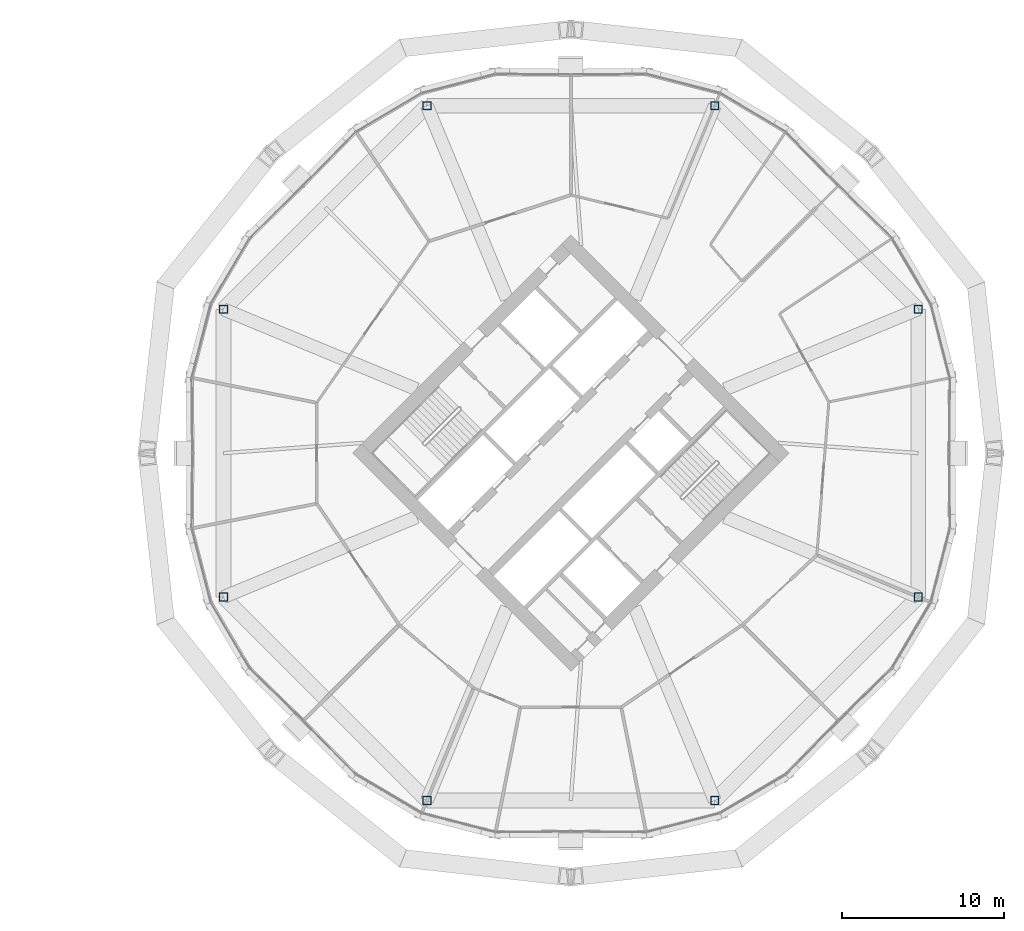
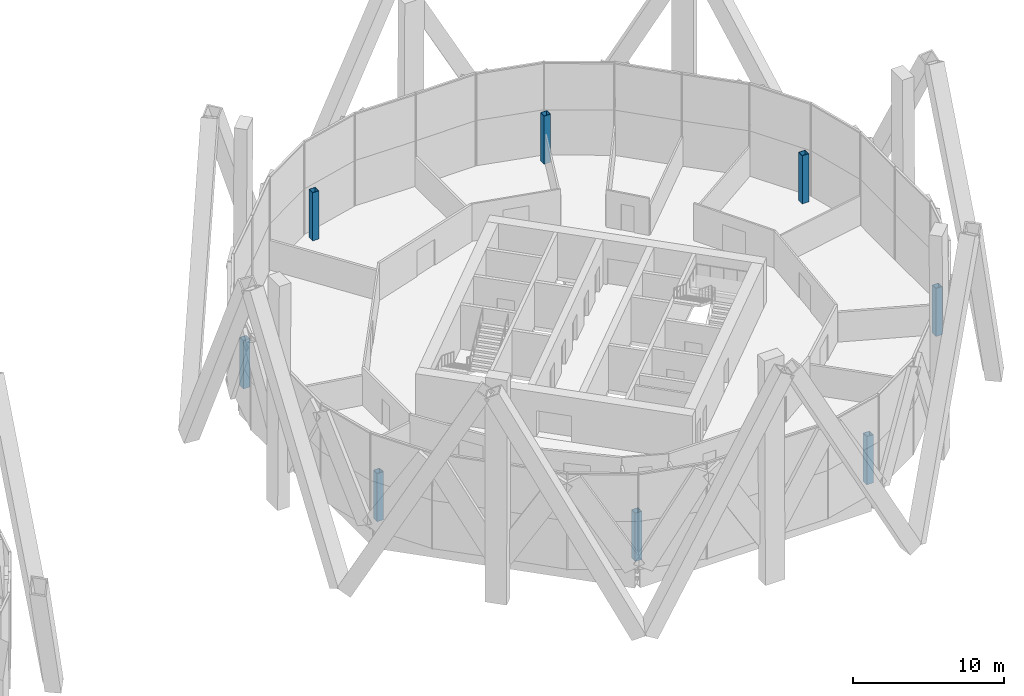
# One storey, part 2 of 30: 8 columns.
"""IFC4 building model written with IfcOpenShell, lengths in metres."""

from ifc_helpers import new_model, si_unit, direction, frame, origin, origin_2d, place, context, subcontext, project, spatial, hollow_rectangle, extrude, material, material_profile, profile_set, type_object, element, save


model = new_model("IFC4")

# Units and contexts
model_context = context("Model", 3, precision=1e-05, world=origin(), true_north=direction((0.0, 1.0)))
body_context = subcontext(model_context, "Body", "Model", "MODEL_VIEW")
ifc_project = project(units=[si_unit("LENGTHUNIT", "METRE"), si_unit("AREAUNIT", "SQUARE_METRE"), si_unit("VOLUMEUNIT", "CUBIC_METRE"), si_unit("PLANEANGLEUNIT", "RADIAN"), si_unit("MASSUNIT", "GRAM", prefix="KILO")], contexts=[model_context])

# Site, building, storey
site_placement = place(None, origin())
site = spatial("IfcSite", under=ifc_project, at=site_placement, CompositionType="ELEMENT")
building_placement = place(site_placement, origin())
building = spatial("IfcBuilding", under=site, at=building_placement, Name="Ogive Gate Towers", CompositionType="ELEMENT")
storey_placement = place(building_placement, frame((0.0, 0.0, 99.60009765625)))
storey = spatial("IfcBuildingStorey", under=building, at=storey_placement, Name="L23", CompositionType="ELEMENT", Elevation=99.60009765625)

# Columns
ifc_material = material(Name="Steel SM460", Category="steel")
ifc_material_profile = material_profile(ifc_material, hollow_rectangle(XDim=0.5, YDim=0.5, WallThickness=0.030029296875, at=origin_2d()), Name="BX 500x500x30")
ifc_profile_set = profile_set([ifc_material_profile], Name="Steel SM460")
column_type = type_object("IfcColumnType", Name="Perimeter post BX 500x500x30", PredefinedType="COLUMN", material=ifc_profile_set)
for number, where, z_axis, x_axis, name in (
    (1, (57.39697265625, 8.863037109375, 0.0), (0.0, 0.0, 1.0), (1.0, 0.0, 0.0), "T2/L23/SCL001"),
    (2, (44.863037109375, 21.39697265625, 0.0), (0.0, 0.0, 1.0), (1.0, 0.0, 0.0), "T2/L23/SCL002"),
    (3, (27.136962890625, 21.39697265625, 0.0), (0.0, 0.0, 1.0), (1.0, 0.0, 0.0), "T2/L23/SCL003"),
    (4, (14.60302734375, 8.863037109375, 0.0), (0.0, 0.0, 1.0), (1.0, 0.0, 0.0), "T2/L23/SCL004"),
    (5, (14.60302734375, -8.863037109375, 0.0), (0.0, 0.0, 1.0), (1.0, 0.0, 0.0), "T2/L23/SCL005"),
    (6, (27.136962890625, -21.39697265625, 0.0), (0.0, 0.0, 1.0), (1.0, 0.0, 0.0), "T2/L23/SCL006"),
    (7, (44.863037109375, -21.39697265625, 0.0), (0.0, 0.0, 1.0), (1.0, 0.0, 0.0), "T2/L23/SCL007"),
    (8, (57.39697265625, -8.863037109375, 0.0), (0.0, 0.0, 1.0), (1.0, 0.0, 0.0), "T2/L23/SCL008"),
):
    element("IfcColumn", number, at=place(storey_placement, frame(where, z_axis=z_axis, x_axis=x_axis)), inside=storey, type_object=column_type, Name=name, PredefinedType="COLUMN", context=body_context, shape_type="SweptSolid", body=[
        extrude(hollow_rectangle(XDim=0.5, YDim=0.5, WallThickness=0.030029296875, at=origin_2d()), origin(), (0.0, 0.0, 1.0), 3.89990234375),
    ])

save(model, "model.ifc")
